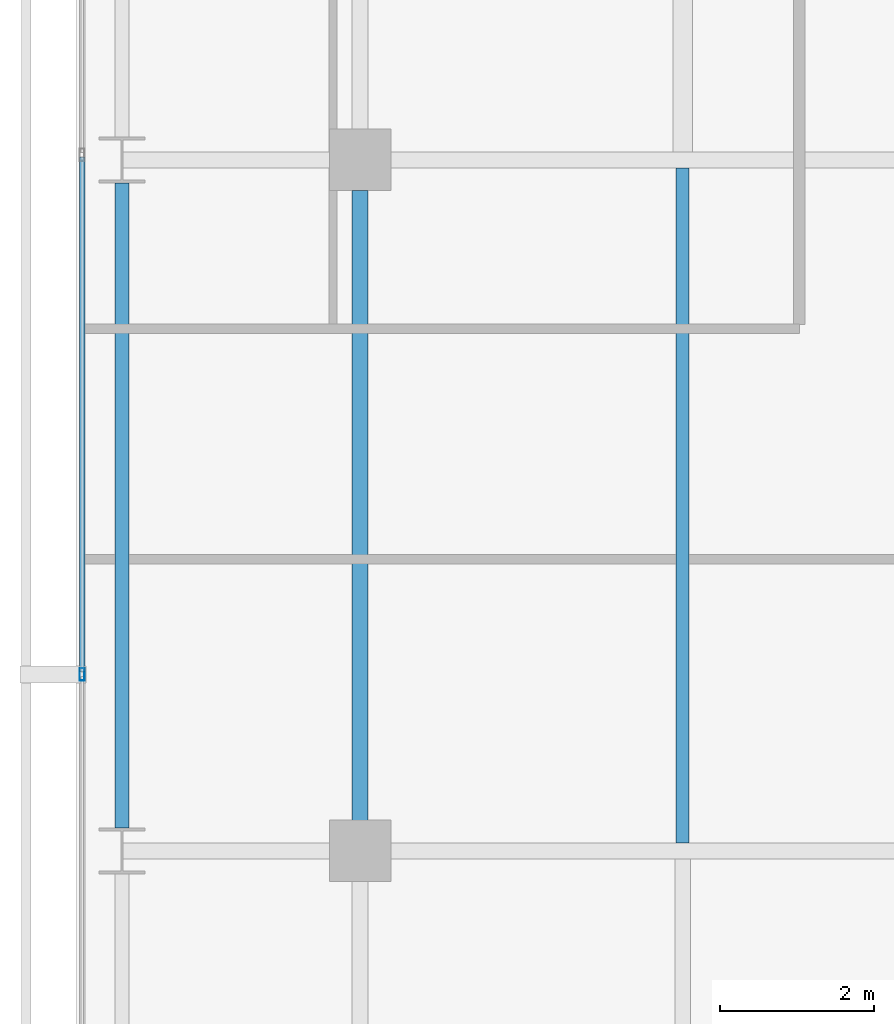
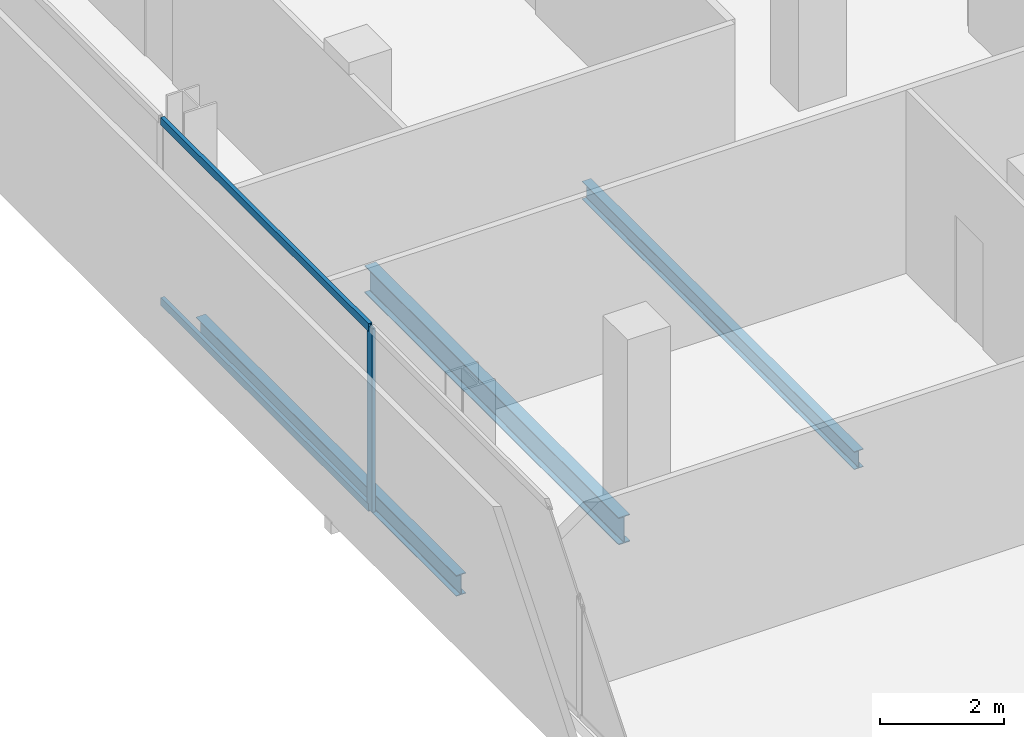
# One storey, part 10 of 33: 3 beams, 3 members, 1 element without a shape of its own.
"""IFC4 building model written with IfcOpenShell, lengths in metres."""

from ifc_helpers import new_model, si_unit, direction, frame, origin, origin_2d, place, context, subcontext, project, spatial, hollow_rectangle, i_section, extrude, material, layer, layer_set, material_profile, profile_set, type_object, element, aggregate, save


model = new_model("IFC4")

# Units and contexts
model_context = context("Model", 3, precision=1e-05, world=origin(), true_north=direction((0.0, 1.0)))
body_context = subcontext(model_context, "Body", "Model", "MODEL_VIEW")
ifc_project = project(units=[si_unit("LENGTHUNIT", "METRE"), si_unit("AREAUNIT", "SQUARE_METRE"), si_unit("VOLUMEUNIT", "CUBIC_METRE"), si_unit("PLANEANGLEUNIT", "RADIAN"), si_unit("MASSUNIT", "GRAM", prefix="KILO")], contexts=[model_context])

# Site, building, storey
site_placement = place(None, origin())
site = spatial("IfcSite", under=ifc_project, at=site_placement, CompositionType="ELEMENT")
building_placement = place(site_placement, origin())
building = spatial("IfcBuilding", under=site, at=building_placement, Name="Maruvema Waterfront Hotel and Observation Tower", CompositionType="ELEMENT")
storey_placement = place(building_placement, frame((0.0, 0.0, 200.550048828125)))
storey = spatial("IfcBuildingStorey", under=building, at=storey_placement, Name="L49", CompositionType="ELEMENT", Elevation=200.550048828125)

# Curtain wall, members
ifc_material_1 = material(Name="Anodised bronze aluminium and solar-control low-E IGU", Category="aluminium")
ifc_layer = layer(ifc_material_1, 0.159912109375, Name="Zone 2 Amber Inner Thermal Curtain Wall System CW-03")
ifc_layer_set = layer_set([ifc_layer], Name="Anodised bronze aluminium and solar-control low-E IGU")
curtain_wall_type = type_object("IfcCurtainWallType", Name="Zone 2 Amber Inner Thermal Curtain Wall System CW-03", PredefinedType="USERDEFINED", material=ifc_layer_set)
curtain_wall_placement = place(storey_placement, origin())
curtain_wall = element("IfcCurtainWall", 1, at=curtain_wall_placement, inside=storey, type_object=curtain_wall_type, Name="L49 Curtain Wall CW-L49-W", ObjectType="UNITISED CURTAIN WALL", PredefinedType="USERDEFINED")
ifc_material_2 = material(Name="Anodised architectural bronze aluminium", Category="aluminium")
ifc_material_profile_1 = material_profile(ifc_material_2, hollow_rectangle(XDim=0.070068359375, YDim=0.14990234375, WallThickness=0.00390625, at=origin_2d()), Name="ALU-T70x150")
ifc_profile_set_1 = profile_set([ifc_material_profile_1], Name="Anodised architectural bronze aluminium")
member_type_1 = type_object("IfcMemberType", Name="Curtain Wall Horizontal Transom ALU-T70x150", PredefinedType="USERDEFINED", material=ifc_profile_set_1)
member_1_placement = place(storey_placement, frame((13.179931640625, 36.03662109375, 0.030029296875), z_axis=(0.0, -1.0, 0.0), x_axis=(1.0, 0.0, 0.0)))
member_1 = element("IfcMember", 2, at=member_1_placement, type_object=member_type_1, Name="CW-03 transom 3.1", ObjectType="TRANSOM", PredefinedType="USERDEFINED", context=body_context, shape_type="SweptSolid", body=[
    extrude(hollow_rectangle(XDim=0.070068359375, YDim=0.14990234375, WallThickness=0.00390625, at=origin_2d()), origin(), (0.0, 0.0, 1.0), 6.70654296875),
])
member_2_placement = place(storey_placement, frame((13.179931640625, 36.03662109375, 3.579833984375), z_axis=(0.0, -1.0, 0.0), x_axis=(1.0, 0.0, 0.0)))
member_2 = element("IfcMember", 3, at=member_2_placement, type_object=member_type_1, Name="CW-03 transom 3.2", ObjectType="TRANSOM", PredefinedType="USERDEFINED", context=body_context, shape_type="SweptSolid", body=[
    extrude(hollow_rectangle(XDim=0.070068359375, YDim=0.14990234375, WallThickness=0.00390625, at=origin_2d()), origin(), (0.0, 0.0, 1.0), 6.70654296875),
])
ifc_material_3 = material(Name="Anodised architectural bronze aluminium", Category="aluminium")
ifc_material_profile_2 = material_profile(ifc_material_3, hollow_rectangle(XDim=0.06494140625, YDim=0.1650390625, WallThickness=0.00390625, at=origin_2d()), Name="ALU-M65x165")
ifc_profile_set_2 = profile_set([ifc_material_profile_2], Name="Anodised architectural bronze aluminium")
member_type_2 = type_object("IfcMemberType", Name="Curtain Wall Primary Mullion ALU-M65x165", PredefinedType="MULLION", material=ifc_profile_set_2)
member_3_placement = place(storey_placement, frame((13.179931640625, 29.300048828125, 0.0), z_axis=(0.0, 0.0, 1.0), x_axis=(1.0, 0.0, 0.0)))
member_3 = element("IfcMember", 4, at=member_3_placement, type_object=member_type_2, Name="CW-03 mullion 4", PredefinedType="MULLION", context=body_context, shape_type="SweptSolid", body=[
    extrude(hollow_rectangle(XDim=0.06494140625, YDim=0.1650390625, WallThickness=0.00390625, at=origin_2d()), origin(), (0.0, 0.0, 1.0), 3.60986328125),
])
aggregate(curtain_wall, [member_3, member_1, member_2])

# Beams
ifc_material_4 = material(Name="Steel ASTM A572 Grade 50", Category="steel")
ifc_material_profile_3 = material_profile(ifc_material_4, i_section(OverallWidth=0.178955078125, OverallDepth=0.409912109375, WebThickness=0.0087890625, FlangeThickness=0.014404296875, FilletRadius=0.014892578125, at=origin_2d()), Name="W410x67.0")
ifc_profile_set_3 = profile_set([ifc_material_profile_3], Name="Steel ASTM A572 Grade 50")
beam_type_1 = type_object("IfcBeamType", Name="Perimeter Spandrel Beam W410x67.0", PredefinedType="SPANDREL", material=ifc_profile_set_3)
beam_1_placement = place(storey_placement, frame((13.699951171875, 27.300048828125, -0.445068359375), z_axis=(0.0, 1.0, 0.0), x_axis=(-1.0, 0.0, 0.0)))
element("IfcBeam", 5, at=beam_1_placement, inside=storey, type_object=beam_type_1, Name="L49 Floor Girder NS-03", PredefinedType="SPANDREL", context=body_context, shape_type="SweptSolid", body=[
    extrude(i_section(OverallWidth=0.178955078125, OverallDepth=0.409912109375, WebThickness=0.0087890625, FlangeThickness=0.014404296875, FilletRadius=0.014892578125, at=origin_2d()), origin(), (0.0, 0.0, 1.0), 8.39990234375),
])
ifc_material_5 = material(Name="Steel ASTM A572 Grade 50", Category="steel")
ifc_material_profile_4 = material_profile(ifc_material_5, i_section(OverallWidth=0.2109375, OverallDepth=0.5390625, WebThickness=0.01171875, FlangeThickness=0.018798828125, FilletRadius=0.014892578125, at=origin_2d()), Name="W530x109.0")
ifc_profile_set_4 = profile_set([ifc_material_profile_4], Name="Steel ASTM A572 Grade 50")
beam_type_2 = type_object("IfcBeamType", Name="Primary Floor Girder W530x109.0", PredefinedType="BEAM", material=ifc_profile_set_4)
beam_2_placement = place(storey_placement, frame((16.800048828125, 27.39990234375, -0.509521484375), z_axis=(0.0, 1.0, 0.0), x_axis=(-1.0, 0.0, 0.0)))
element("IfcBeam", 6, at=beam_2_placement, inside=storey, type_object=beam_type_2, Name="L49 Floor Girder NS-07", PredefinedType="BEAM", context=body_context, shape_type="SweptSolid", body=[
    extrude(i_section(OverallWidth=0.2109375, OverallDepth=0.5390625, WebThickness=0.01171875, FlangeThickness=0.018798828125, FilletRadius=0.014892578125, at=origin_2d()), origin(), (0.0, 0.0, 1.0), 8.2001953125),
])
ifc_material_6 = material(Name="Steel ASTM A572 Grade 50", Category="steel")
ifc_material_profile_5 = material_profile(ifc_material_6, i_section(OverallWidth=0.1708984375, OverallDepth=0.35498046875, WebThickness=0.007080078125, FlangeThickness=0.01171875, FilletRadius=0.014892578125, at=origin_2d()), Name="W360x51.0")
ifc_profile_set_5 = profile_set([ifc_material_profile_5], Name="Steel ASTM A572 Grade 50")
beam_type_3 = type_object("IfcBeamType", Name="Secondary Floor Joist W360x51.0", PredefinedType="JOIST", material=ifc_profile_set_5)
beam_3_placement = place(storey_placement, frame((21.0, 27.10546875, -0.41748046875), z_axis=(0.0, 1.0, 0.0), x_axis=(-1.0, 0.0, 0.0)))
element("IfcBeam", 7, at=beam_3_placement, inside=storey, type_object=beam_type_3, Name="L49 Secondary Floor Joist JS-03", PredefinedType="JOIST", context=body_context, shape_type="SweptSolid", body=[
    extrude(i_section(OverallWidth=0.1708984375, OverallDepth=0.35498046875, WebThickness=0.007080078125, FlangeThickness=0.01171875, FilletRadius=0.014892578125, at=origin_2d()), origin(), (0.0, 0.0, 1.0), 8.7890625),
])

save(model, "model.ifc")
